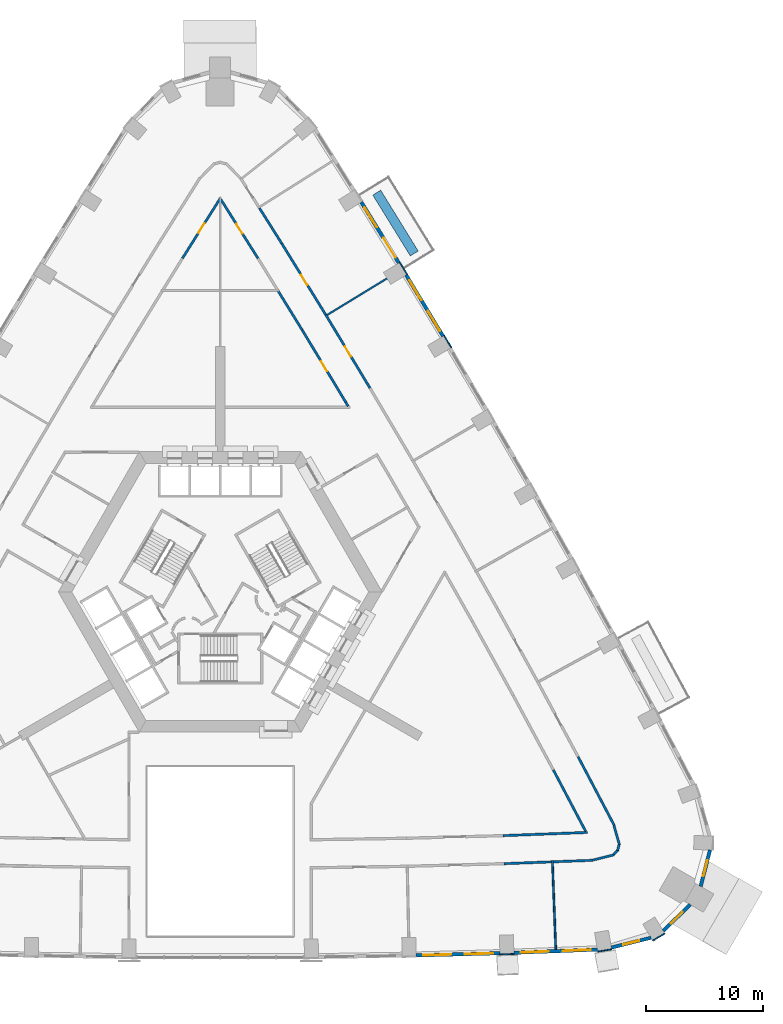
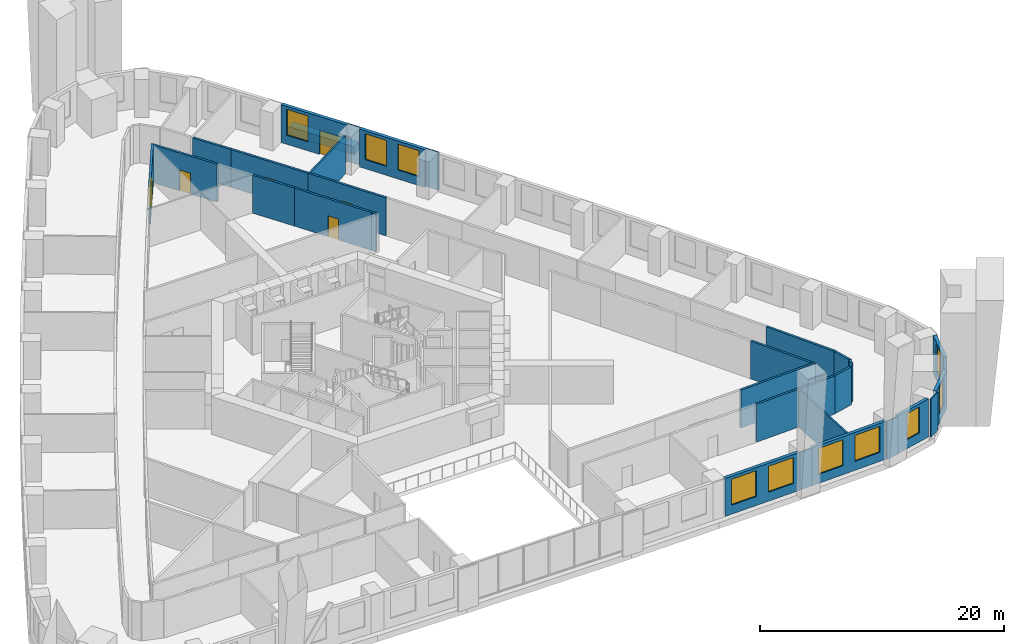
# One storey, part 10 of 16: 32 walls, 10 windows, 6 doors, 16 openings.
"""IFC4 building model written with IfcOpenShell, lengths in metres."""

from ifc_helpers import new_model, si_unit, direction, frame, frame_2d, origin, place, context, subcontext, project, spatial, rectangle, extrude, material, layer, layer_set, type_object, element, fill, save


model = new_model("IFC4")

# Units and contexts
model_context = context("Model", 3, precision=1e-05, world=origin(), true_north=direction((0.0, 1.0)))
body_context = subcontext(model_context, "Body", "Model", "MODEL_VIEW")
ifc_project = project(units=[si_unit("LENGTHUNIT", "METRE"), si_unit("AREAUNIT", "SQUARE_METRE"), si_unit("VOLUMEUNIT", "CUBIC_METRE"), si_unit("PLANEANGLEUNIT", "RADIAN"), si_unit("MASSUNIT", "GRAM", prefix="KILO")], contexts=[model_context])

# Site, building, storey
site_placement = place(None, origin())
site = spatial("IfcSite", under=ifc_project, at=site_placement, CompositionType="ELEMENT")
building_placement = place(site_placement, origin())
building = spatial("IfcBuilding", under=site, at=building_placement, Name="Entoto Arch Interchange Tower", CompositionType="ELEMENT")
storey_placement = place(building_placement, frame((0.0, 0.0, 47.60009765625)))
storey = spatial("IfcBuildingStorey", under=building, at=storey_placement, Name="L09", CompositionType="ELEMENT", Elevation=47.60009765625)

# Walls
ifc_material_1 = material(Name="Gypsum board partition on steel studs", Category="steel")
ifc_layer_1 = layer(ifc_material_1, 0.14990234375)
ifc_layer_set_1 = layer_set([ifc_layer_1], Name="Gypsum board partition on steel studs")
wall_type_1 = type_object("IfcWallType", Name="PARTITION 150", PredefinedType="PARTITIONING", material=ifc_layer_set_1)
wall_1_placement = place(storey_placement, frame((28.425048828125, -20.4970703125, 0.0), z_axis=(0.0, 0.0, 1.0), x_axis=(0.03816049016, -0.999271623229, 0.0)))
element("IfcWall", 1, at=wall_1_placement, inside=storey, type_object=wall_type_1, Name="wall:L09:p133", PredefinedType="PARTITIONING", context=body_context, shape_type="SweptSolid", body=[
    extrude(rectangle(XDim=7.6005859375, YDim=0.14990234375, at=frame_2d((3.80029296875, 0.0))), origin(), (0.0, 0.0, 1.0), 3.7998046875),
])
wall_2_placement = place(storey_placement, frame((9.156005859375, 26.200927734375, 0.0), z_axis=(0.0, 0.0, 1.0), x_axis=(0.853632819511, 0.520875234057, 0.0)))
element("IfcWall", 2, at=wall_2_placement, inside=storey, type_object=wall_type_1, Name="wall:L09:p137", PredefinedType="PARTITIONING", context=body_context, shape_type="SweptSolid", body=[
    extrude(rectangle(XDim=5.980224609375, YDim=0.14990234375, at=frame_2d((2.990234375, 0.0))), origin(), (0.0, 0.0, 1.0), 3.7998046875),
])
ifc_layer_2 = layer(ifc_material_1, 0.199951171875)
ifc_layer_set_2 = layer_set([ifc_layer_2], Name="Gypsum board partition on steel studs")
wall_type_2 = type_object("IfcWallType", Name="PARTITION 200", PredefinedType="PARTITIONING", material=ifc_layer_set_2)
wall_3_placement = place(storey_placement, frame((10.947998046875, 18.385986328125, 0.0), z_axis=(0.0, 0.0, 1.0), x_axis=(-0.506880801681, 0.862016155815, 0.0)))
element("IfcWall", 3, at=wall_3_placement, inside=storey, type_object=wall_type_2, Name="wall:L09:p008", PredefinedType="PARTITIONING", context=body_context, shape_type="SweptSolid", body=[
    extrude(rectangle(XDim=0.3828125, YDim=0.199951171875, at=frame_2d((0.19140625, 0.0))), origin(), (0.0, 0.0, 1.0), 3.7998046875),
])

# Wall, opening, door
wall_4_placement = place(storey_placement, frame((10.75390625, 18.716064453125, 0.0), z_axis=(0.0, 0.0, 1.0), x_axis=(-0.516755973305, 0.856132737403, 0.0)))
wall_4 = element("IfcWall", 4, at=wall_4_placement, inside=storey, type_object=wall_type_2, Name="wall:L09:p009", PredefinedType="PARTITIONING", context=body_context, shape_type="SweptSolid", body=[
    extrude(rectangle(XDim=7.221923828125, YDim=0.199951171875, at=frame_2d((3.61083984375, 0.0))), origin(), (0.0, 0.0, 1.0), 3.7998046875),
])
opening_1_placement = place(wall_4_placement, frame((3.111083984375, 0.0, 0.0)))
opening_1 = element("IfcOpeningElement", 5, at=opening_1_placement, cuts=wall_4, Name="Opening L09-D17", PredefinedType="OPENING", context=body_context, shape_type="SweptSolid", body=[
    extrude(rectangle(XDim=1.0, YDim=2.10009765625, at=frame_2d((0.5, 1.050048828125))), frame((0.0, 0.10986328125, 0.0), z_axis=(0.0, -1.0, 0.0), x_axis=(1.0, 0.0, 0.0)), (0.0, 0.0, 1.0), 0.219970703125),
])
ifc_material_2 = material(Name="Timber door leaf in Steel S235 frame", Category="steel")
door_type_1 = type_object("IfcDoorType", Name="DOOR DS-10 1000x2100", OperationType="SINGLE_SWING_LEFT", PredefinedType="DOOR", material=ifc_material_2)
door_1_placement = place(opening_1_placement, origin())
door_1 = element("IfcDoor", 6, at=door_1_placement, inside=storey, type_object=door_type_1, Name="door:L09:17", OperationType="SINGLE_SWING_LEFT", OverallHeight=2.10009765625, OverallWidth=1.0, PredefinedType="DOOR", context=body_context, shape_type="SweptSolid", body=[
    extrude(rectangle(XDim=1.0, YDim=2.10009765625, at=frame_2d((0.5, 1.050048828125))), frame((0.0, 0.02490234375, 0.0), z_axis=(0.0, -1.0, 0.0), x_axis=(1.0, 0.0, 0.0)), (0.0, 0.0, 1.0), 0.050048828125),
])
fill(opening_1, door_1)

# Wall
wall_5_placement = place(storey_placement, frame((7.02197265625, 24.89892578125, 0.0), z_axis=(0.0, 0.0, 1.0), x_axis=(-0.525104448775, 0.851037788748, 0.0)))
element("IfcWall", 7, at=wall_5_placement, inside=storey, type_object=wall_type_2, Name="wall:L09:p010", PredefinedType="PARTITIONING", context=body_context, shape_type="SweptSolid", body=[
    extrude(rectangle(XDim=3.92138671875, YDim=0.199951171875, at=frame_2d((1.960693359375, 0.0))), origin(), (0.0, 0.0, 1.0), 3.7998046875),
])

# Wall, opening, door
wall_6_placement = place(storey_placement, frame((3.23095703125, 31.044921875, 0.0), z_axis=(0.0, 0.0, 1.0), x_axis=(-0.533294550084, 0.845929620507, 0.0)))
wall_6 = element("IfcWall", 8, at=wall_6_placement, inside=storey, type_object=wall_type_2, Name="wall:L09:p015", PredefinedType="PARTITIONING", context=body_context, shape_type="SweptSolid", body=[
    extrude(rectangle(XDim=5.959228515625, YDim=0.199951171875, at=frame_2d((2.9794921875, 0.0))), origin(), (0.0, 0.0, 1.0), 3.7998046875),
])
opening_2_placement = place(wall_6_placement, frame((2.47900390625, 0.0, 0.0)))
opening_2 = element("IfcOpeningElement", 9, at=opening_2_placement, cuts=wall_6, Name="Opening L09-D19", PredefinedType="OPENING", context=body_context, shape_type="SweptSolid", body=[
    extrude(rectangle(XDim=1.0, YDim=2.10009765625, at=frame_2d((0.5, 1.050048828125))), frame((0.0, 0.10986328125, 0.0), z_axis=(0.0, -1.0, 0.0), x_axis=(1.0, 0.0, 0.0)), (0.0, 0.0, 1.0), 0.219970703125),
])
door_2_placement = place(opening_2_placement, origin())
door_2 = element("IfcDoor", 10, at=door_2_placement, inside=storey, type_object=door_type_1, Name="door:L09:19", OperationType="SINGLE_SWING_LEFT", OverallHeight=2.10009765625, OverallWidth=1.0, PredefinedType="DOOR", context=body_context, shape_type="SweptSolid", body=[
    extrude(rectangle(XDim=1.0, YDim=2.10009765625, at=frame_2d((0.5, 1.050048828125))), frame((0.0, 0.02490234375, 0.0), z_axis=(0.0, -1.0, 0.0), x_axis=(1.0, 0.0, 0.0)), (0.0, 0.0, 1.0), 0.050048828125),
])
fill(opening_2, door_2)

wall_7_placement = place(storey_placement, frame((0.027099609375, 36.212890625, 0.0), z_axis=(0.0, 0.0, 1.0), x_axis=(-0.533299680037, -0.845926386438, 0.0)))
wall_7 = element("IfcWall", 11, at=wall_7_placement, inside=storey, type_object=wall_type_2, Name="wall:L09:p016", PredefinedType="PARTITIONING", context=body_context, shape_type="SweptSolid", body=[
    extrude(rectangle(XDim=6.109130859375, YDim=0.199951171875, at=frame_2d((3.0546875, 0.0))), origin(), (0.0, 0.0, 1.0), 3.7998046875),
])
opening_3_placement = place(wall_7_placement, frame((2.553955078125, 0.0, 0.0)))
opening_3 = element("IfcOpeningElement", 12, at=opening_3_placement, cuts=wall_7, Name="Opening L09-D20", PredefinedType="OPENING", context=body_context, shape_type="SweptSolid", body=[
    extrude(rectangle(XDim=1.0, YDim=2.10009765625, at=frame_2d((0.5, 1.050048828125))), frame((0.0, 0.10986328125, 0.0), z_axis=(0.0, -1.0, 0.0), x_axis=(1.0, 0.0, 0.0)), (0.0, 0.0, 1.0), 0.219970703125),
])
door_3_placement = place(opening_3_placement, origin())
door_3 = element("IfcDoor", 13, at=door_3_placement, inside=storey, type_object=door_type_1, Name="door:L09:20", OperationType="SINGLE_SWING_LEFT", OverallHeight=2.10009765625, OverallWidth=1.0, PredefinedType="DOOR", context=body_context, shape_type="SweptSolid", body=[
    extrude(rectangle(XDim=1.0, YDim=2.10009765625, at=frame_2d((0.5, 1.050048828125))), frame((0.0, 0.02490234375, 0.0), z_axis=(0.0, -1.0, 0.0), x_axis=(1.0, 0.0, 0.0)), (0.0, 0.0, 1.0), 0.050048828125),
])
fill(opening_3, door_3)

# Walls
wall_8_placement = place(storey_placement, frame((24.2080078125, -18.35595703125, 0.0), z_axis=(0.0, 0.0, 1.0), x_axis=(0.999275140761, 0.03806826838, 0.0)))
element("IfcWall", 14, at=wall_8_placement, inside=storey, type_object=wall_type_2, Name="wall:L09:p020", PredefinedType="PARTITIONING", context=body_context, shape_type="SweptSolid", body=[
    extrude(rectangle(XDim=7.22119140625, YDim=0.199951171875, at=frame_2d((3.610595703125, 0.0))), origin(), (0.0, 0.0, 1.0), 3.7998046875),
])
wall_9_placement = place(storey_placement, frame((31.277099609375, -17.9970703125, 0.0), z_axis=(0.0, 0.0, 1.0), x_axis=(-0.465862938277, 0.884856893933, 0.0)))
element("IfcWall", 15, at=wall_9_placement, inside=storey, type_object=wall_type_2, Name="wall:L09:p021", PredefinedType="PARTITIONING", context=body_context, shape_type="SweptSolid", body=[
    extrude(rectangle(XDim=5.958984375, YDim=0.199951171875, at=frame_2d((2.9794921875, 0.0))), origin(), (0.0, 0.0, 1.0), 3.7998046875),
])
wall_10_placement = place(storey_placement, frame((28.35400390625, -20.60009765625, 0.0), z_axis=(0.0, 0.0, 1.0), x_axis=(-0.999276945714, -0.038020859604, 0.0)))
element("IfcWall", 16, at=wall_10_placement, inside=storey, type_object=wall_type_2, Name="wall:L09:p038", PredefinedType="PARTITIONING", context=body_context, shape_type="SweptSolid", body=[
    extrude(rectangle(XDim=4.071044921875, YDim=0.199951171875, at=frame_2d((2.03564453125, 0.0))), origin(), (0.0, 0.0, 1.0), 3.7998046875),
])
wall_11_placement = place(storey_placement, frame((30.618896484375, -11.594970703125, 0.0), z_axis=(0.0, 0.0, 1.0), x_axis=(0.465905874098, -0.884834287582, 0.0)))
element("IfcWall", 17, at=wall_11_placement, inside=storey, type_object=wall_type_2, Name="wall:L09:p041", PredefinedType="PARTITIONING", context=body_context, shape_type="SweptSolid", body=[
    extrude(rectangle(XDim=6.626220703125, YDim=0.199951171875, at=frame_2d((3.31298828125, 0.0))), origin(), (0.0, 0.0, 1.0), 3.7998046875),
])
wall_12_placement = place(storey_placement, frame((33.68701171875, -17.466064453125, 0.0), z_axis=(0.0, 0.0, 1.0), x_axis=(0.272780480932, -0.962076301144, 0.0)))
element("IfcWall", 18, at=wall_12_placement, inside=storey, type_object=wall_type_2, Name="wall:L09:p042", PredefinedType="PARTITIONING", context=body_context, shape_type="SweptSolid", body=[
    extrude(rectangle(XDim=1.7783203125, YDim=0.199951171875, at=frame_2d((0.88916015625, 0.0))), origin(), (0.0, 0.0, 1.0), 3.7998046875),
])
wall_13_placement = place(storey_placement, frame((34.139892578125, -19.09912109375, 0.0), z_axis=(0.0, 0.0, 1.0), x_axis=(-0.249326881699, -0.968419385423, 0.0)))
element("IfcWall", 19, at=wall_13_placement, inside=storey, type_object=wall_type_2, Name="wall:L09:p043", PredefinedType="PARTITIONING", context=body_context, shape_type="SweptSolid", body=[
    extrude(rectangle(XDim=0.54931640625, YDim=0.199951171875, at=frame_2d((0.274658203125, 0.0))), origin(), (0.0, 0.0, 1.0), 3.7998046875),
])
wall_14_placement = place(storey_placement, frame((34.073974609375, -19.56201171875, 0.0), z_axis=(0.0, 0.0, 1.0), x_axis=(-0.713456013967, -0.700700018649, 0.0)))
element("IfcWall", 20, at=wall_14_placement, inside=storey, type_object=wall_type_2, Name="wall:L09:p044", PredefinedType="PARTITIONING", context=body_context, shape_type="SweptSolid", body=[
    extrude(rectangle(XDim=0.554931640625, YDim=0.199951171875, at=frame_2d((0.27734375, 0.0))), origin(), (0.0, 0.0, 1.0), 3.7998046875),
])
wall_15_placement = place(storey_placement, frame((33.702880859375, -19.9970703125, 0.0), z_axis=(0.0, 0.0, 1.0), x_axis=(-0.970421070494, -0.241418611423, 0.0)))
element("IfcWall", 21, at=wall_15_placement, inside=storey, type_object=wall_type_2, Name="wall:L09:p045", PredefinedType="PARTITIONING", context=body_context, shape_type="SweptSolid", body=[
    extrude(rectangle(XDim=1.8515625, YDim=0.199951171875, at=frame_2d((0.92578125, 0.0))), origin(), (0.0, 0.0, 1.0), 3.7998046875),
])
wall_16_placement = place(storey_placement, frame((31.908935546875, -20.464111328125, 0.0), z_axis=(0.0, 0.0, 1.0), x_axis=(-0.999273295147, -0.038116684091, 0.0)))
element("IfcWall", 22, at=wall_16_placement, inside=storey, type_object=wall_type_2, Name="wall:L09:p046", PredefinedType="PARTITIONING", context=body_context, shape_type="SweptSolid", body=[
    extrude(rectangle(XDim=3.407470703125, YDim=0.199951171875, at=frame_2d((1.70361328125, 0.0))), origin(), (0.0, 0.0, 1.0), 3.7998046875),
])

# Wall, opening, door
wall_17_placement = place(storey_placement, frame((9.031982421875, 26.212890625, 0.0), z_axis=(0.0, 0.0, 1.0), x_axis=(0.516789314756, -0.856112611841, 0.0)))
wall_17 = element("IfcWall", 23, at=wall_17_placement, inside=storey, type_object=wall_type_2, Name="wall:L09:p051", PredefinedType="PARTITIONING", context=body_context, shape_type="SweptSolid", body=[
    extrude(rectangle(XDim=7.320068359375, YDim=0.199951171875, at=frame_2d((3.66015625, 0.0))), origin(), (0.0, 0.0, 1.0), 3.7998046875),
])
opening_4_placement = place(wall_17_placement, frame((3.159912109375, 0.0, 0.0)))
opening_4 = element("IfcOpeningElement", 24, at=opening_4_placement, cuts=wall_17, Name="Opening L09-D06", PredefinedType="OPENING", context=body_context, shape_type="SweptSolid", body=[
    extrude(rectangle(XDim=1.0, YDim=2.10009765625, at=frame_2d((0.5, 1.050048828125))), frame((0.0, 0.10986328125, 0.0), z_axis=(0.0, -1.0, 0.0), x_axis=(1.0, 0.0, 0.0)), (0.0, 0.0, 1.0), 0.219970703125),
])
door_4_placement = place(opening_4_placement, origin())
door_4 = element("IfcDoor", 25, at=door_4_placement, inside=storey, type_object=door_type_1, Name="door:L09:06", OperationType="SINGLE_SWING_LEFT", OverallHeight=2.10009765625, OverallWidth=1.0, PredefinedType="DOOR", context=body_context, shape_type="SweptSolid", body=[
    extrude(rectangle(XDim=1.0, YDim=2.10009765625, at=frame_2d((0.5, 1.050048828125))), frame((0.0, 0.02490234375, 0.0), z_axis=(0.0, -1.0, 0.0), x_axis=(1.0, 0.0, 0.0)), (0.0, 0.0, 1.0), 0.050048828125),
])
fill(opening_4, door_4)

# Wall
wall_18_placement = place(storey_placement, frame((3.35888671875, 35.341064453125, 0.0), z_axis=(0.0, 0.0, 1.0), x_axis=(0.533386910893, -0.845871386966, 0.0)))
element("IfcWall", 26, at=wall_18_placement, inside=storey, type_object=wall_type_2, Name="wall:L09:p053", PredefinedType="PARTITIONING", context=body_context, shape_type="SweptSolid", body=[
    extrude(rectangle(XDim=3.57763671875, YDim=0.199951171875, at=frame_2d((1.788818359375, 0.0))), origin(), (0.0, 0.0, 1.0), 3.7998046875),
])

# Wall, opening, door
wall_19_placement = place(storey_placement, frame((5.26708984375, 32.31494140625, 0.0), z_axis=(0.0, 0.0, 1.0), x_axis=(0.524988204957, -0.851109502153, 0.0)))
wall_19 = element("IfcWall", 27, at=wall_19_placement, inside=storey, type_object=wall_type_2, Name="wall:L09:p054", PredefinedType="PARTITIONING", context=body_context, shape_type="SweptSolid", body=[
    extrude(rectangle(XDim=7.16943359375, YDim=0.199951171875, at=frame_2d((3.584716796875, 0.0))), origin(), (0.0, 0.0, 1.0), 3.7998046875),
])
opening_5_placement = place(wall_19_placement, frame((3.159912109375, 0.0, 0.0)))
opening_5 = element("IfcOpeningElement", 28, at=opening_5_placement, cuts=wall_19, Name="Opening L09-D07", PredefinedType="OPENING", context=body_context, shape_type="SweptSolid", body=[
    extrude(rectangle(XDim=1.0, YDim=2.10009765625, at=frame_2d((0.5, 1.050048828125))), frame((0.0, 0.10986328125, 0.0), z_axis=(0.0, -1.0, 0.0), x_axis=(1.0, 0.0, 0.0)), (0.0, 0.0, 1.0), 0.219970703125),
])
door_5_placement = place(opening_5_placement, origin())
door_5 = element("IfcDoor", 29, at=door_5_placement, inside=storey, type_object=door_type_1, Name="door:L09:07", OperationType="SINGLE_SWING_RIGHT", OverallHeight=2.10009765625, OverallWidth=1.0, PredefinedType="DOOR", context=body_context, shape_type="SweptSolid", body=[
    extrude(rectangle(XDim=1.0, YDim=2.10009765625, at=frame_2d((0.5, 1.050048828125))), frame((0.0, 0.02490234375, 0.0), z_axis=(0.0, -1.0, 0.0), x_axis=(1.0, 0.0, 0.0)), (0.0, 0.0, 1.0), 0.050048828125),
])
fill(opening_5, door_5)

# Wall
ifc_material_3 = material(Name="Board-marked precast concrete C50/60", Category="concrete")
ifc_layer_3 = layer(ifc_material_3, 0.800048828125)
ifc_layer_set_3 = layer_set([ifc_layer_3], Name="Board-marked precast concrete C50/60")
wall_type_3 = type_object("IfcWallType", Name="PLANTER RC 800 Olea europaea subsp. cuspidata", PredefinedType="STANDARD", material=ifc_layer_set_3)
wall_20_placement = place(storey_placement, frame((16.60595703125, 31.4580078125, 0.0), z_axis=(0.0, 0.0, 1.0), x_axis=(-0.52504092683, 0.85107697957, 0.0)))
element("IfcWall", 30, at=wall_20_placement, inside=storey, type_object=wall_type_3, Name="Planter NE-08 L09", PredefinedType="STANDARD", context=body_context, shape_type="SweptSolid", body=[
    extrude(rectangle(XDim=6.119384765625, YDim=0.800048828125, at=frame_2d((3.0595703125, 0.0))), origin(), (0.0, 0.0, 1.0), 0.7998046875),
])

# Wall, openings, windows
ifc_material_4 = material(Name="Welded tuff (ignimbrite) cladding, warm buff", Category="masonry")
ifc_layer_4 = layer(ifc_material_4, 0.300048828125)
ifc_layer_set_4 = layer_set([ifc_layer_4], Name="Welded tuff (ignimbrite) cladding, warm buff")
wall_type_4 = type_object("IfcWallType", Name="STONE INFILL WALL 300", PredefinedType="STANDARD", material=ifc_layer_set_4)
wall_21_placement = place(storey_placement, frame((16.764892578125, -28.611083984375, 0.0), z_axis=(0.0, 0.0, 1.0), x_axis=(0.999633925798, 0.027055764512, 0.0)))
wall_21 = element("IfcWall", 31, at=wall_21_placement, inside=storey, type_object=wall_type_4, Name="Facade wall S-06 L09", PredefinedType="STANDARD", context=body_context, shape_type="SweptSolid", body=[
    extrude(rectangle(XDim=7.173828125, YDim=0.300048828125, at=frame_2d((3.5869140625, 0.0))), origin(), (0.0, 0.0, 1.0), 3.7998046875),
])
opening_6_placement = place(wall_21_placement, frame((0.593017578125, 0.0, 0.89990234375)))
opening_6 = element("IfcOpeningElement", 32, at=opening_6_placement, cuts=wall_21, Name="Opening WO-A", PredefinedType="OPENING", context=body_context, shape_type="SweptSolid", body=[
    extrude(rectangle(XDim=2.39990234375, YDim=2.60009765625, at=frame_2d((1.199951171875, 1.300048828125))), frame((0.0, 0.16015625, 0.0), z_axis=(0.0, -1.0, 0.0), x_axis=(1.0, 0.0, 0.0)), (0.0, 0.0, 1.0), 0.320068359375),
])
opening_7_placement = place(wall_21_placement, frame((4.179931640625, 0.0, 0.89990234375)))
opening_7 = element("IfcOpeningElement", 33, at=opening_7_placement, cuts=wall_21, Name="Opening WO-A", PredefinedType="OPENING", context=body_context, shape_type="SweptSolid", body=[
    extrude(rectangle(XDim=2.39990234375, YDim=2.60009765625, at=frame_2d((1.199951171875, 1.300048828125))), frame((0.0, 0.16015625, 0.0), z_axis=(0.0, -1.0, 0.0), x_axis=(1.0, 0.0, 0.0)), (0.0, 0.0, 1.0), 0.320068359375),
])
ifc_material_5 = material(Name="Clear glass, low-e double glazed", Category="glass")
window_type_1 = type_object("IfcWindowType", Name="WINDOW WO-A 2400x2600", PartitioningType="DOUBLE_PANEL_VERTICAL", PredefinedType="WINDOW", material=ifc_material_5)
window_1_placement = place(opening_6_placement, origin())
window_1 = element("IfcWindow", 34, at=window_1_placement, inside=storey, type_object=window_type_1, Name="Window WO-A S-06 L09", OverallHeight=2.60009765625, OverallWidth=2.39990234375, PartitioningType="SINGLE_PANEL", PredefinedType="WINDOW", context=body_context, shape_type="SweptSolid", body=[
    extrude(rectangle(XDim=2.39990234375, YDim=2.60009765625, at=frame_2d((1.199951171875, 1.300048828125))), frame((0.0, 0.030029296875, 0.0), z_axis=(0.0, -1.0, 0.0), x_axis=(1.0, 0.0, 0.0)), (0.0, 0.0, 1.0), 0.06005859375),
])
fill(opening_6, window_1)
window_2_placement = place(opening_7_placement, origin())
window_2 = element("IfcWindow", 35, at=window_2_placement, inside=storey, type_object=window_type_1, Name="Window WO-A S-06 L09", OverallHeight=2.60009765625, OverallWidth=2.39990234375, PartitioningType="SINGLE_PANEL", PredefinedType="WINDOW", context=body_context, shape_type="SweptSolid", body=[
    extrude(rectangle(XDim=2.39990234375, YDim=2.60009765625, at=frame_2d((1.199951171875, 1.300048828125))), frame((0.0, 0.030029296875, 0.0), z_axis=(0.0, -1.0, 0.0), x_axis=(1.0, 0.0, 0.0)), (0.0, 0.0, 1.0), 0.06005859375),
])
fill(opening_7, window_2)

wall_22_placement = place(storey_placement, frame((25.134033203125, -28.3779296875, 0.0), z_axis=(0.0, 0.0, 1.0), x_axis=(0.999276920032, 0.038021534562, 0.0)))
wall_22 = element("IfcWall", 36, at=wall_22_placement, inside=storey, type_object=wall_type_4, Name="Facade wall S-07 L09", PredefinedType="STANDARD", context=body_context, shape_type="SweptSolid", body=[
    extrude(rectangle(XDim=7.153076171875, YDim=0.300048828125, at=frame_2d((3.57666015625, 0.0))), origin(), (0.0, 0.0, 1.0), 3.7998046875),
])
opening_8_placement = place(wall_22_placement, frame((0.587890625, 0.0, 0.89990234375)))
opening_8 = element("IfcOpeningElement", 37, at=opening_8_placement, cuts=wall_22, Name="Opening WO-A", PredefinedType="OPENING", context=body_context, shape_type="SweptSolid", body=[
    extrude(rectangle(XDim=2.39990234375, YDim=2.60009765625, at=frame_2d((1.199951171875, 1.300048828125))), frame((0.0, 0.16015625, 0.0), z_axis=(0.0, -1.0, 0.0), x_axis=(1.0, 0.0, 0.0)), (0.0, 0.0, 1.0), 0.320068359375),
])
opening_9_placement = place(wall_22_placement, frame((4.1650390625, 0.0, 0.89990234375)))
opening_9 = element("IfcOpeningElement", 38, at=opening_9_placement, cuts=wall_22, Name="Opening WO-A", PredefinedType="OPENING", context=body_context, shape_type="SweptSolid", body=[
    extrude(rectangle(XDim=2.39990234375, YDim=2.60009765625, at=frame_2d((1.199951171875, 1.300048828125))), frame((0.0, 0.16015625, 0.0), z_axis=(0.0, -1.0, 0.0), x_axis=(1.0, 0.0, 0.0)), (0.0, 0.0, 1.0), 0.320068359375),
])
window_3_placement = place(opening_8_placement, origin())
window_3 = element("IfcWindow", 39, at=window_3_placement, inside=storey, type_object=window_type_1, Name="Window WO-A S-07 L09", OverallHeight=2.60009765625, OverallWidth=2.39990234375, PartitioningType="SINGLE_PANEL", PredefinedType="WINDOW", context=body_context, shape_type="SweptSolid", body=[
    extrude(rectangle(XDim=2.39990234375, YDim=2.60009765625, at=frame_2d((1.199951171875, 1.300048828125))), frame((0.0, 0.030029296875, 0.0), z_axis=(0.0, -1.0, 0.0), x_axis=(1.0, 0.0, 0.0)), (0.0, 0.0, 1.0), 0.06005859375),
])
fill(opening_8, window_3)
window_4_placement = place(opening_9_placement, origin())
window_4 = element("IfcWindow", 40, at=window_4_placement, inside=storey, type_object=window_type_1, Name="Window WO-A S-07 L09", OverallHeight=2.60009765625, OverallWidth=2.39990234375, PartitioningType="SINGLE_PANEL", PredefinedType="WINDOW", context=body_context, shape_type="SweptSolid", body=[
    extrude(rectangle(XDim=2.39990234375, YDim=2.60009765625, at=frame_2d((1.199951171875, 1.300048828125))), frame((0.0, 0.030029296875, 0.0), z_axis=(0.0, -1.0, 0.0), x_axis=(1.0, 0.0, 0.0)), (0.0, 0.0, 1.0), 0.06005859375),
])
fill(opening_9, window_4)

# Wall, opening, window
wall_23_placement = place(storey_placement, frame((33.468994140625, -27.93896484375, 0.0), z_axis=(0.0, 0.0, 1.0), x_axis=(0.970331016871, 0.241780308749, 0.0)))
wall_23 = element("IfcWall", 41, at=wall_23_placement, inside=storey, type_object=wall_type_4, Name="Facade wall SE-01 L09", PredefinedType="STANDARD", context=body_context, shape_type="SweptSolid", body=[
    extrude(rectangle(XDim=3.498779296875, YDim=0.300048828125, at=frame_2d((1.74951171875, 0.0))), origin(), (0.0, 0.0, 1.0), 3.7998046875),
])
opening_10_placement = place(wall_23_placement, frame((1.049072265625, 0.0, 0.89990234375)))
opening_10 = element("IfcOpeningElement", 42, at=opening_10_placement, cuts=wall_23, Name="Opening WO-B", PredefinedType="OPENING", context=body_context, shape_type="SweptSolid", body=[
    extrude(rectangle(XDim=1.39990234375, YDim=2.60009765625, at=frame_2d((0.699951171875, 1.300048828125))), frame((0.0, 0.16015625, 0.0), z_axis=(0.0, -1.0, 0.0), x_axis=(1.0, 0.0, 0.0)), (0.0, 0.0, 1.0), 0.320068359375),
])
window_type_2 = type_object("IfcWindowType", Name="WINDOW WO-B 1400x2600", PartitioningType="DOUBLE_PANEL_VERTICAL", PredefinedType="WINDOW", material=ifc_material_5)
window_5_placement = place(opening_10_placement, origin())
window_5 = element("IfcWindow", 43, at=window_5_placement, inside=storey, type_object=window_type_2, Name="Window WO-B SE-01 L09", OverallHeight=2.60009765625, OverallWidth=1.39990234375, PartitioningType="SINGLE_PANEL", PredefinedType="WINDOW", context=body_context, shape_type="SweptSolid", body=[
    extrude(rectangle(XDim=1.39990234375, YDim=2.60009765625, at=frame_2d((0.699951171875, 1.300048828125))), frame((0.0, 0.030029296875, 0.0), z_axis=(0.0, -1.0, 0.0), x_axis=(1.0, 0.0, 0.0)), (0.0, 0.0, 1.0), 0.06005859375),
])
fill(opening_10, window_5)

wall_24_placement = place(storey_placement, frame((37.9140625, -26.512939453125, 0.0), z_axis=(0.0, 0.0, 1.0), x_axis=(0.71340487189, 0.700752087948, 0.0)))
wall_24 = element("IfcWall", 44, at=wall_24_placement, inside=storey, type_object=wall_type_4, Name="Facade wall SE-02 L09", PredefinedType="STANDARD", context=body_context, shape_type="SweptSolid", body=[
    extrude(rectangle(XDim=3.222412109375, YDim=0.300048828125, at=frame_2d((1.611328125, 0.0))), origin(), (0.0, 0.0, 1.0), 3.7998046875),
])
opening_11_placement = place(wall_24_placement, frame((0.910888671875, 0.0, 0.89990234375)))
opening_11 = element("IfcOpeningElement", 45, at=opening_11_placement, cuts=wall_24, Name="Opening WO-B", PredefinedType="OPENING", context=body_context, shape_type="SweptSolid", body=[
    extrude(rectangle(XDim=1.39990234375, YDim=2.60009765625, at=frame_2d((0.699951171875, 1.300048828125))), frame((0.0, 0.16015625, 0.0), z_axis=(0.0, -1.0, 0.0), x_axis=(1.0, 0.0, 0.0)), (0.0, 0.0, 1.0), 0.320068359375),
])
window_6_placement = place(opening_11_placement, origin())
window_6 = element("IfcWindow", 46, at=window_6_placement, inside=storey, type_object=window_type_2, Name="Window WO-B SE-02 L09", OverallHeight=2.60009765625, OverallWidth=1.39990234375, PartitioningType="SINGLE_PANEL", PredefinedType="WINDOW", context=body_context, shape_type="SweptSolid", body=[
    extrude(rectangle(XDim=1.39990234375, YDim=2.60009765625, at=frame_2d((0.699951171875, 1.300048828125))), frame((0.0, 0.030029296875, 0.0), z_axis=(0.0, -1.0, 0.0), x_axis=(1.0, 0.0, 0.0)), (0.0, 0.0, 1.0), 0.06005859375),
])
fill(opening_11, window_6)

wall_25_placement = place(storey_placement, frame((41.112060546875, -22.697998046875, 0.0), z_axis=(0.0, 0.0, 1.0), x_axis=(0.250086521833, 0.968223492587, 0.0)))
wall_25 = element("IfcWall", 47, at=wall_25_placement, inside=storey, type_object=wall_type_4, Name="Facade wall SE-03 L09", PredefinedType="STANDARD", context=body_context, shape_type="SweptSolid", body=[
    extrude(rectangle(XDim=3.222412109375, YDim=0.300048828125, at=frame_2d((1.611328125, 0.0))), origin(), (0.0, 0.0, 1.0), 3.7998046875),
])
opening_12_placement = place(wall_25_placement, frame((0.910888671875, 0.0, 0.89990234375)))
opening_12 = element("IfcOpeningElement", 48, at=opening_12_placement, cuts=wall_25, Name="Opening WO-B", PredefinedType="OPENING", context=body_context, shape_type="SweptSolid", body=[
    extrude(rectangle(XDim=1.39990234375, YDim=2.60009765625, at=frame_2d((0.699951171875, 1.300048828125))), frame((0.0, 0.16015625, 0.0), z_axis=(0.0, -1.0, 0.0), x_axis=(1.0, 0.0, 0.0)), (0.0, 0.0, 1.0), 0.320068359375),
])
window_7_placement = place(opening_12_placement, origin())
window_7 = element("IfcWindow", 49, at=window_7_placement, inside=storey, type_object=window_type_2, Name="Window WO-B SE-03 L09", OverallHeight=2.60009765625, OverallWidth=1.39990234375, PartitioningType="SINGLE_PANEL", PredefinedType="WINDOW", context=body_context, shape_type="SweptSolid", body=[
    extrude(rectangle(XDim=1.39990234375, YDim=2.60009765625, at=frame_2d((0.699951171875, 1.300048828125))), frame((0.0, 0.030029296875, 0.0), z_axis=(0.0, -1.0, 0.0), x_axis=(1.0, 0.0, 0.0)), (0.0, 0.0, 1.0), 0.06005859375),
])
fill(opening_12, window_7)

# Wall, openings, windows
wall_26_placement = place(storey_placement, frame((19.073974609375, 24.3798828125, 0.0), z_axis=(0.0, 0.0, 1.0), x_axis=(-0.516699243123, 0.856166976796, 0.0)))
wall_26 = element("IfcWall", 50, at=wall_26_placement, inside=storey, type_object=wall_type_4, Name="Facade wall NE-07 L09", PredefinedType="STANDARD", context=body_context, shape_type="SweptSolid", body=[
    extrude(rectangle(XDim=6.121826171875, YDim=0.300048828125, at=frame_2d((3.06103515625, 0.0))), origin(), (0.0, 0.0, 1.0), 3.7998046875),
])
opening_13_placement = place(wall_26_placement, frame((0.530029296875, 0.0, 0.89990234375)))
opening_13 = element("IfcOpeningElement", 51, at=opening_13_placement, cuts=wall_26, Name="Opening WO-C", PredefinedType="OPENING", context=body_context, shape_type="SweptSolid", body=[
    extrude(rectangle(XDim=2.0, YDim=2.60009765625, at=frame_2d((1.0, 1.300048828125))), frame((0.0, 0.16015625, 0.0), z_axis=(0.0, -1.0, 0.0), x_axis=(1.0, 0.0, 0.0)), (0.0, 0.0, 1.0), 0.320068359375),
])
opening_14_placement = place(wall_26_placement, frame((3.591064453125, 0.0, 0.89990234375)))
opening_14 = element("IfcOpeningElement", 52, at=opening_14_placement, cuts=wall_26, Name="Opening WO-C", PredefinedType="OPENING", context=body_context, shape_type="SweptSolid", body=[
    extrude(rectangle(XDim=2.0, YDim=2.60009765625, at=frame_2d((1.0, 1.300048828125))), frame((0.0, 0.16015625, 0.0), z_axis=(0.0, -1.0, 0.0), x_axis=(1.0, 0.0, 0.0)), (0.0, 0.0, 1.0), 0.320068359375),
])
window_type_3 = type_object("IfcWindowType", Name="WINDOW WO-C 2000x2600", PartitioningType="DOUBLE_PANEL_VERTICAL", PredefinedType="WINDOW", material=ifc_material_5)
window_8_placement = place(opening_13_placement, origin())
window_8 = element("IfcWindow", 53, at=window_8_placement, inside=storey, type_object=window_type_3, Name="Window WO-C NE-07 L09", OverallHeight=2.60009765625, OverallWidth=2.0, PartitioningType="SINGLE_PANEL", PredefinedType="WINDOW", context=body_context, shape_type="SweptSolid", body=[
    extrude(rectangle(XDim=2.0, YDim=2.60009765625, at=frame_2d((1.0, 1.300048828125))), frame((0.0, 0.030029296875, 0.0), z_axis=(0.0, -1.0, 0.0), x_axis=(1.0, 0.0, 0.0)), (0.0, 0.0, 1.0), 0.06005859375),
])
fill(opening_13, window_8)
window_9_placement = place(opening_14_placement, origin())
window_9 = element("IfcWindow", 54, at=window_9_placement, inside=storey, type_object=window_type_3, Name="Window WO-C NE-07 L09", OverallHeight=2.60009765625, OverallWidth=2.0, PartitioningType="SINGLE_PANEL", PredefinedType="WINDOW", context=body_context, shape_type="SweptSolid", body=[
    extrude(rectangle(XDim=2.0, YDim=2.60009765625, at=frame_2d((1.0, 1.300048828125))), frame((0.0, 0.030029296875, 0.0), z_axis=(0.0, -1.0, 0.0), x_axis=(1.0, 0.0, 0.0)), (0.0, 0.0, 1.0), 0.06005859375),
])
fill(opening_14, window_9)

# Wall, openings, door, window
wall_27_placement = place(storey_placement, frame((15.287109375, 30.64404296875, 0.0), z_axis=(0.0, 0.0, 1.0), x_axis=(-0.525114088226, 0.851031840971, 0.0)))
wall_27 = element("IfcWall", 55, at=wall_27_placement, inside=storey, type_object=wall_type_4, Name="Facade wall NE-08 L09", PredefinedType="STANDARD", context=body_context, shape_type="SweptSolid", body=[
    extrude(rectangle(XDim=6.120849609375, YDim=0.300048828125, at=frame_2d((3.060546875, 0.0))), origin(), (0.0, 0.0, 1.0), 3.7998046875),
])
opening_15_placement = place(wall_27_placement, frame((0.530029296875, 0.0, 0.0)))
opening_15 = element("IfcOpeningElement", 56, at=opening_15_placement, cuts=wall_27, Name="Opening DB-NE-08-L09", PredefinedType="OPENING", context=body_context, shape_type="SweptSolid", body=[
    extrude(rectangle(XDim=2.0, YDim=2.39990234375, at=frame_2d((1.0, 1.199951171875))), frame((0.0, 0.16015625, 0.0), z_axis=(0.0, -1.0, 0.0), x_axis=(1.0, 0.0, 0.0)), (0.0, 0.0, 1.0), 0.320068359375),
])
opening_16_placement = place(wall_27_placement, frame((3.591064453125, 0.0, 0.89990234375)))
opening_16 = element("IfcOpeningElement", 57, at=opening_16_placement, cuts=wall_27, Name="Opening WO-C", PredefinedType="OPENING", context=body_context, shape_type="SweptSolid", body=[
    extrude(rectangle(XDim=2.0, YDim=2.60009765625, at=frame_2d((1.0, 1.300048828125))), frame((0.0, 0.16015625, 0.0), z_axis=(0.0, -1.0, 0.0), x_axis=(1.0, 0.0, 0.0)), (0.0, 0.0, 1.0), 0.320068359375),
])
ifc_material_6 = material(Name="Aluminium and clear glass, anodised", Category="aluminium")
door_type_2 = type_object("IfcDoorType", Name="BALCONY DOOR DB 2000x2400", OperationType="SLIDING_TO_LEFT", PredefinedType="DOOR", material=ifc_material_6)
door_6_placement = place(opening_15_placement, origin())
door_6 = element("IfcDoor", 58, at=door_6_placement, inside=storey, type_object=door_type_2, Name="Balcony door NE-08 L09", OperationType="SLIDING_TO_LEFT", OverallHeight=2.39990234375, OverallWidth=2.0, PredefinedType="DOOR", context=body_context, shape_type="SweptSolid", body=[
    extrude(rectangle(XDim=2.0, YDim=2.39990234375, at=frame_2d((1.0, 1.199951171875))), frame((0.0, 0.02490234375, 0.0), z_axis=(0.0, -1.0, 0.0), x_axis=(1.0, 0.0, 0.0)), (0.0, 0.0, 1.0), 0.050048828125),
])
fill(opening_15, door_6)
window_10_placement = place(opening_16_placement, origin())
window_10 = element("IfcWindow", 59, at=window_10_placement, inside=storey, type_object=window_type_3, Name="Window WO-C NE-08 L09", OverallHeight=2.60009765625, OverallWidth=2.0, PartitioningType="SINGLE_PANEL", PredefinedType="WINDOW", context=body_context, shape_type="SweptSolid", body=[
    extrude(rectangle(XDim=2.0, YDim=2.60009765625, at=frame_2d((1.0, 1.300048828125))), frame((0.0, 0.030029296875, 0.0), z_axis=(0.0, -1.0, 0.0), x_axis=(1.0, 0.0, 0.0)), (0.0, 0.0, 1.0), 0.06005859375),
])
fill(opening_16, window_10)

# Walls
ifc_layer_5 = layer(ifc_material_4, 0.10009765625)
ifc_layer_set_5 = layer_set([ifc_layer_5], Name="Welded tuff (ignimbrite) cladding, warm buff")
wall_type_5 = type_object("IfcWallType", Name="STONE PIER CLADDING 100", PredefinedType="STANDARD", material=ifc_layer_set_5)
for number, where, z_axis, x_axis, name in (
    (60, (19.777099609375, 23.403076171875, 0.0), (0.0, 0.0, 1.0), (-0.513388576555, 0.858156261682, 0.0), "Stone pier NE07 L09"),
    (61, (15.9990234375, 29.674072265625, 0.0), (0.0, 0.0, 1.0), (-0.521598117945, 0.853191305251, 0.0), "Stone pier NE08 L09"),
):
    element("IfcWall", number, at=place(storey_placement, frame(where, z_axis=z_axis, x_axis=x_axis)), inside=storey, type_object=wall_type_5, Name=name, PredefinedType="STANDARD", context=body_context, shape_type="SweptSolid", body=[
        extrude(rectangle(XDim=1.2001953125, YDim=0.10009765625, at=frame_2d((0.60009765625, 0.0))), origin(), (0.0, 0.0, 1.0), 3.7998046875),
    ])
for number, where, z_axis, x_axis, name in (
    (62, (23.93896484375, -28.52099609375, 0.0), (0.0, 0.0, 1.0), (0.999442872267, 0.03337581573, 0.0), "Stone pier S07 L09"),
    (63, (32.31103515625, -28.282958984375, 0.0), (0.0, 0.0, 1.0), (0.986011774526, 0.166675674579, 0.0), "Stone pier S08 L09"),
):
    element("IfcWall", number, at=place(storey_placement, frame(where, z_axis=z_axis, x_axis=x_axis)), inside=storey, type_object=wall_type_5, Name=name, PredefinedType="STANDARD", context=body_context, shape_type="SweptSolid", body=[
        extrude(rectangle(XDim=1.19970703125, YDim=0.10009765625, at=frame_2d((0.599853515625, 0.0))), origin(), (0.0, 0.0, 1.0), 3.7998046875),
    ])
wall_28_placement = place(storey_placement, frame((37.01611328125, -27.344970703125, 0.0), z_axis=(0.0, 0.0, 1.0), x_axis=(0.854716608594, 0.519094903649, 0.0)))
element("IfcWall", 64, at=wall_28_placement, inside=storey, type_object=wall_type_5, Name="Stone pier SE1 L09", PredefinedType="STANDARD", context=body_context, shape_type="SweptSolid", body=[
    extrude(rectangle(XDim=1.2001953125, YDim=0.10009765625, at=frame_2d((0.60009765625, 0.0))), origin(), (0.0, 0.0, 1.0), 3.7998046875),
])

save(model, "model.ifc")
